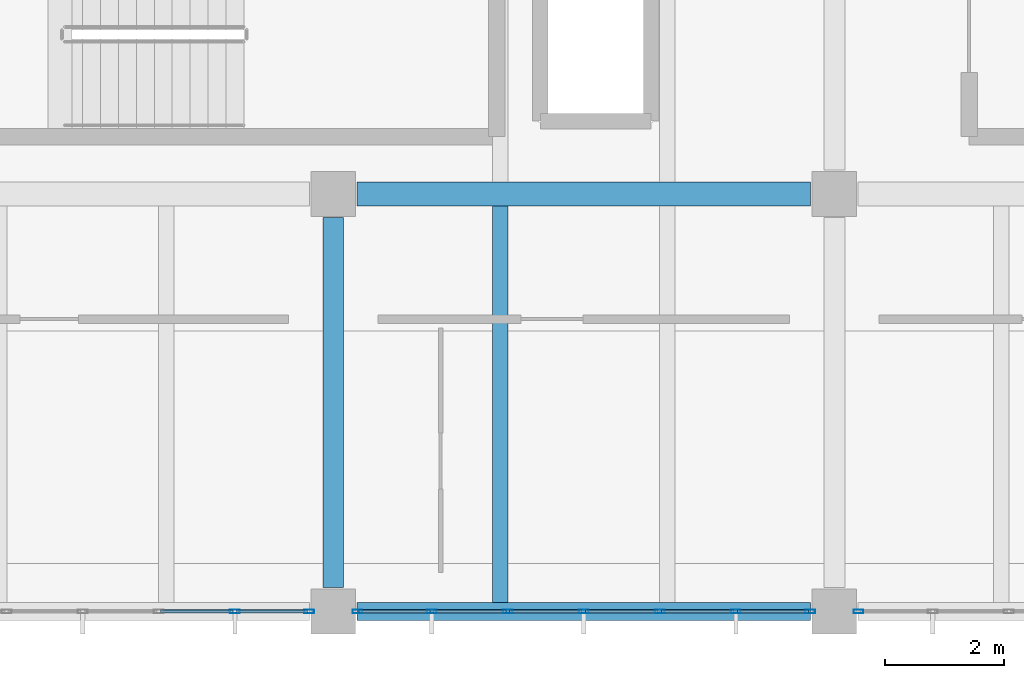
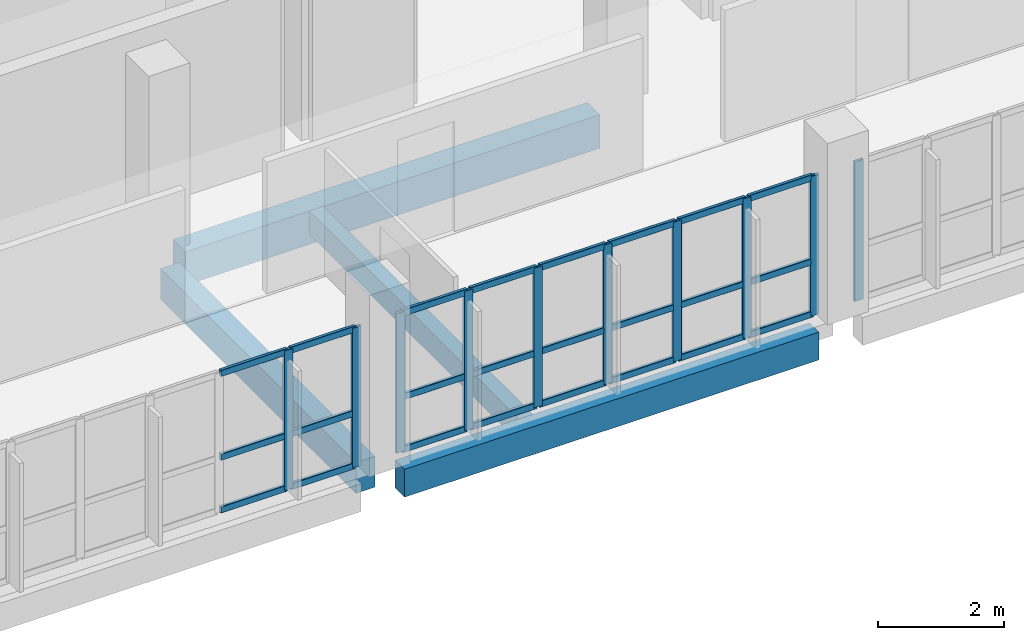
# One storey, part 7 of 95: 34 members, 4 beams, 3 elements without a shape of their own.
"""IFC4 building model written with IfcOpenShell, lengths in metres."""

from ifc_helpers import new_model, si_unit, direction, frame, origin, origin_2d, place, context, subcontext, project, spatial, rectangle, hollow_rectangle, extrude, material, layer, layer_set, material_profile, profile_set, type_object, element, aggregate, save


model = new_model("IFC4")

# Units and contexts
model_context = context("Model", 3, precision=1e-05, world=origin(), true_north=direction((0.0, 1.0)))
body_context = subcontext(model_context, "Body", "Model", "MODEL_VIEW")
ifc_project = project(units=[si_unit("LENGTHUNIT", "METRE"), si_unit("AREAUNIT", "SQUARE_METRE"), si_unit("VOLUMEUNIT", "CUBIC_METRE"), si_unit("PLANEANGLEUNIT", "RADIAN"), si_unit("MASSUNIT", "GRAM", prefix="KILO"), si_unit("THERMODYNAMICTEMPERATUREUNIT", "KELVIN"), si_unit("POWERUNIT", "WATT")], contexts=[model_context])

# Site, building, storey
site_placement = place(None, origin())
site = spatial("IfcSite", under=ifc_project, at=site_placement, CompositionType="ELEMENT")
building_placement = place(site_placement, origin())
building = spatial("IfcBuilding", under=site, at=building_placement, Name="Mavoryth Pier Ferry Terminal", CompositionType="ELEMENT")
storey_placement = place(building_placement, frame((0.0, 0.0, 9.60009765625)))
storey = spatial("IfcBuildingStorey", under=building, at=storey_placement, Name="L02", CompositionType="ELEMENT", Elevation=9.60009765625)

# Beams
ifc_material_1 = material(Name="Concrete C35/45", Category="concrete")
ifc_material_profile_1 = material_profile(ifc_material_1, rectangle(XDim=0.35009765625, YDim=0.60009765625, at=origin_2d()), Name="RC 350x600", Category="concrete")
ifc_profile_set_1 = profile_set([ifc_material_profile_1], Name="Concrete C35/45 - RC 350x600")
beam_type_1 = type_object("IfcBeamType", Name="Girder-RC-350x600", PredefinedType="BEAM", material=ifc_profile_set_1)
beam_1_placement = place(storey_placement, frame((50.39990234375, 0.39990234375, -0.56005859375), z_axis=(0.0, 1.0, 0.0), x_axis=(-1.0, 0.0, 0.0)))
element("IfcBeam", 1, at=beam_1_placement, inside=storey, type_object=beam_type_1, Name="Beam B02-BG08-0978", PredefinedType="BEAM", context=body_context, shape_type="SweptSolid", body=[
    extrude(rectangle(XDim=0.35009765625, YDim=0.60009765625, at=origin_2d()), origin(), (0.0, 0.0, 1.0), 6.2001953125),
])
ifc_material_profile_2 = material_profile(ifc_material_1, rectangle(XDim=0.39990234375, YDim=0.64990234375, at=origin_2d()), Name="RC 400x650", Category="concrete")
ifc_profile_set_2 = profile_set([ifc_material_profile_2], Name="Concrete C35/45 - RC 400x650")
beam_type_2 = type_object("IfcBeamType", Name="Girder-RC-400x650", PredefinedType="BEAM", material=ifc_profile_set_2)
beam_2_placement = place(storey_placement, frame((50.800048828125, 7.0, -0.585205078125), z_axis=(1.0, 0.0, 0.0), x_axis=(0.0, 1.0, 0.0)))
element("IfcBeam", 2, at=beam_2_placement, inside=storey, type_object=beam_type_2, Name="Beam B02-BG05-0958", PredefinedType="BEAM", context=body_context, shape_type="SweptSolid", body=[
    extrude(rectangle(XDim=0.39990234375, YDim=0.64990234375, at=origin_2d()), origin(), (0.0, 0.0, 1.0), 7.599853515625),
])
ifc_material_profile_3 = material_profile(ifc_material_1, rectangle(XDim=0.260009765625, YDim=0.449951171875, at=origin_2d()), Name="RC 260x450", Category="concrete")
ifc_profile_set_3 = profile_set([ifc_material_profile_3], Name="Concrete C35/45 - RC 260x450")
beam_type_3 = type_object("IfcBeamType", Name="Joist-RC-260x450", PredefinedType="JOIST", material=ifc_profile_set_3)
beam_3_placement = place(storey_placement, frame((53.199951171875, 0.14990234375, -0.485107421875), z_axis=(0.0, 1.0, 0.0), x_axis=(-1.0, 0.0, 0.0)))
element("IfcBeam", 3, at=beam_3_placement, inside=storey, type_object=beam_type_3, Name="Beam B02-BJ03-1000", PredefinedType="JOIST", context=body_context, shape_type="SweptSolid", body=[
    extrude(rectangle(XDim=0.260009765625, YDim=0.449951171875, at=origin_2d()), origin(), (0.0, 0.0, 1.0), 6.650146484375),
])

# Curtain wall, members
ifc_material_2 = material(Name="Anodised Aluminium and Solar-Control Low-E Glass", Category="aluminium")
ifc_layer = layer(ifc_material_2, 0.239990234375, Name="Anodised Aluminium and Solar-Control Low-E Glass", Category="aluminium")
ifc_layer_set = layer_set([ifc_layer], Name="Anodised Aluminium and Solar-Control Low-E Glass - CW-Operations-Mod1200")
curtain_wall_type = type_object("IfcCurtainWallType", Name="CW-Operations-Mod1200", PredefinedType="USERDEFINED", material=ifc_layer_set)
curtain_wall_1_placement = place(storey_placement, origin())
curtain_wall_1 = element("IfcCurtainWall", 4, at=curtain_wall_1_placement, inside=storey, type_object=curtain_wall_type, Name="Curtain Wall CW-0222-123", ObjectType="UNITISED CURTAIN WALL", PredefinedType="USERDEFINED")
ifc_material_3 = material(Name="Anodised Aluminium EN AW-6063", Category="aluminium")
ifc_material_profile_4 = material_profile(ifc_material_3, hollow_rectangle(XDim=0.06005859375, YDim=0.1650390625, WallThickness=0.00390625, InnerFilletRadius=0.00390625, OuterFilletRadius=0.008056640625, at=origin_2d()), Name="AL-MULL 165x60x4", Category="aluminium")
ifc_profile_set_4 = profile_set([ifc_material_profile_4], Name="Anodised Aluminium EN AW-6063 - AL-MULL 165x60x4")
member_type_1 = type_object("IfcMemberType", Name="Mullion-Alum-165x60", PredefinedType="MULLION", material=ifc_profile_set_4)
member_1_placement = place(storey_placement, frame((48.75, 0.0, 0.0), z_axis=(0.0, 0.0, 1.0), x_axis=(0.0, 1.0, 0.0)))
member_1 = element("IfcMember", 5, at=member_1_placement, type_object=member_type_1, Name="CW06 mullion 6", PredefinedType="MULLION", context=body_context, shape_type="SweptSolid", body=[
    extrude(hollow_rectangle(XDim=0.06005859375, YDim=0.1650390625, WallThickness=0.00390625, InnerFilletRadius=0.00390625, OuterFilletRadius=0.008056640625, at=origin_2d()), origin(), (0.0, 0.0, 1.0), 2.704833984375),
])
member_2_placement = place(storey_placement, frame((49.9951171875, 0.0, 0.0), z_axis=(0.0, 0.0, 1.0), x_axis=(0.0, 1.0, 0.0)))
member_2 = element("IfcMember", 6, at=member_2_placement, type_object=member_type_1, Name="CW06 mullion 7", PredefinedType="MULLION", context=body_context, shape_type="SweptSolid", body=[
    extrude(hollow_rectangle(XDim=0.06005859375, YDim=0.1650390625, WallThickness=0.00390625, InnerFilletRadius=0.00390625, OuterFilletRadius=0.008056640625, at=origin_2d()), origin(), (0.0, 0.0, 1.0), 2.704833984375),
])

curtain_wall_2_placement = place(storey_placement, origin())
curtain_wall_2 = element("IfcCurtainWall", 7, at=curtain_wall_2_placement, inside=storey, type_object=curtain_wall_type, Name="Curtain Wall CW-0222-124", ObjectType="UNITISED CURTAIN WALL", PredefinedType="USERDEFINED")
member_3_placement = place(storey_placement, frame((50.804931640625, 0.0, 0.0), z_axis=(0.0, 0.0, 1.0), x_axis=(0.0, 1.0, 0.0)))
member_3 = element("IfcMember", 8, at=member_3_placement, type_object=member_type_1, Name="CW06 mullion 1", PredefinedType="MULLION", context=body_context, shape_type="SweptSolid", body=[
    extrude(hollow_rectangle(XDim=0.06005859375, YDim=0.1650390625, WallThickness=0.00390625, InnerFilletRadius=0.00390625, OuterFilletRadius=0.008056640625, at=origin_2d()), origin(), (0.0, 0.0, 1.0), 2.704833984375),
])
member_4_placement = place(storey_placement, frame((52.050048828125, 0.0, 0.0), z_axis=(0.0, 0.0, 1.0), x_axis=(0.0, 1.0, 0.0)))
member_4 = element("IfcMember", 9, at=member_4_placement, type_object=member_type_1, Name="CW06 mullion 2", PredefinedType="MULLION", context=body_context, shape_type="SweptSolid", body=[
    extrude(hollow_rectangle(XDim=0.06005859375, YDim=0.1650390625, WallThickness=0.00390625, InnerFilletRadius=0.00390625, OuterFilletRadius=0.008056640625, at=origin_2d()), origin(), (0.0, 0.0, 1.0), 2.704833984375),
])
member_5_placement = place(storey_placement, frame((53.324951171875, 0.0, 0.0), z_axis=(0.0, 0.0, 1.0), x_axis=(0.0, 1.0, 0.0)))
member_5 = element("IfcMember", 10, at=member_5_placement, type_object=member_type_1, Name="CW06 mullion 3", PredefinedType="MULLION", context=body_context, shape_type="SweptSolid", body=[
    extrude(hollow_rectangle(XDim=0.06005859375, YDim=0.1650390625, WallThickness=0.00390625, InnerFilletRadius=0.00390625, OuterFilletRadius=0.008056640625, at=origin_2d()), origin(), (0.0, 0.0, 1.0), 2.704833984375),
])
member_6_placement = place(storey_placement, frame((54.60009765625, 0.0, 0.0), z_axis=(0.0, 0.0, 1.0), x_axis=(0.0, 1.0, 0.0)))
member_6 = element("IfcMember", 11, at=member_6_placement, type_object=member_type_1, Name="CW06 mullion 4", PredefinedType="MULLION", context=body_context, shape_type="SweptSolid", body=[
    extrude(hollow_rectangle(XDim=0.06005859375, YDim=0.1650390625, WallThickness=0.00390625, InnerFilletRadius=0.00390625, OuterFilletRadius=0.008056640625, at=origin_2d()), origin(), (0.0, 0.0, 1.0), 2.704833984375),
])
member_7_placement = place(storey_placement, frame((55.875, 0.0, 0.0), z_axis=(0.0, 0.0, 1.0), x_axis=(0.0, 1.0, 0.0)))
member_7 = element("IfcMember", 12, at=member_7_placement, type_object=member_type_1, Name="CW06 mullion 5", PredefinedType="MULLION", context=body_context, shape_type="SweptSolid", body=[
    extrude(hollow_rectangle(XDim=0.06005859375, YDim=0.1650390625, WallThickness=0.00390625, InnerFilletRadius=0.00390625, OuterFilletRadius=0.008056640625, at=origin_2d()), origin(), (0.0, 0.0, 1.0), 2.704833984375),
])
member_8_placement = place(storey_placement, frame((57.14990234375, 0.0, 0.0), z_axis=(0.0, 0.0, 1.0), x_axis=(0.0, 1.0, 0.0)))
member_8 = element("IfcMember", 13, at=member_8_placement, type_object=member_type_1, Name="CW06 mullion 6", PredefinedType="MULLION", context=body_context, shape_type="SweptSolid", body=[
    extrude(hollow_rectangle(XDim=0.06005859375, YDim=0.1650390625, WallThickness=0.00390625, InnerFilletRadius=0.00390625, OuterFilletRadius=0.008056640625, at=origin_2d()), origin(), (0.0, 0.0, 1.0), 2.704833984375),
])
member_9_placement = place(storey_placement, frame((58.39501953125, 0.0, 0.0), z_axis=(0.0, 0.0, 1.0), x_axis=(0.0, 1.0, 0.0)))
member_9 = element("IfcMember", 14, at=member_9_placement, type_object=member_type_1, Name="CW06 mullion 7", PredefinedType="MULLION", context=body_context, shape_type="SweptSolid", body=[
    extrude(hollow_rectangle(XDim=0.06005859375, YDim=0.1650390625, WallThickness=0.00390625, InnerFilletRadius=0.00390625, OuterFilletRadius=0.008056640625, at=origin_2d()), origin(), (0.0, 0.0, 1.0), 2.704833984375),
])

# Curtain wall, member
curtain_wall_3_placement = place(storey_placement, origin())
curtain_wall_3 = element("IfcCurtainWall", 15, at=curtain_wall_3_placement, inside=storey, type_object=curtain_wall_type, Name="Curtain Wall CW-0222-125", ObjectType="UNITISED CURTAIN WALL", PredefinedType="USERDEFINED")
member_10_placement = place(storey_placement, frame((59.205078125, 0.0, 0.0), z_axis=(0.0, 0.0, 1.0), x_axis=(0.0, 1.0, 0.0)))
member_10 = element("IfcMember", 16, at=member_10_placement, type_object=member_type_1, Name="CW06 mullion 1", PredefinedType="MULLION", context=body_context, shape_type="SweptSolid", body=[
    extrude(hollow_rectangle(XDim=0.06005859375, YDim=0.1650390625, WallThickness=0.00390625, InnerFilletRadius=0.00390625, OuterFilletRadius=0.008056640625, at=origin_2d()), origin(), (0.0, 0.0, 1.0), 2.704833984375),
])
aggregate(curtain_wall_3, [member_10])

# Beam
ifc_material_profile_5 = material_profile(ifc_material_1, rectangle(XDim=0.300048828125, YDim=0.5400390625, at=origin_2d()), Name="RC 300x540", Category="concrete")
ifc_profile_set_5 = profile_set([ifc_material_profile_5], Name="Concrete C35/45 - RC 300x540")
beam_type_4 = type_object("IfcBeamType", Name="Spandrel-RC-300x540", PredefinedType="SPANDREL", material=ifc_profile_set_5)
beam_4_placement = place(storey_placement, frame((50.800048828125, 0.0, -0.530029296875), z_axis=(1.0, 0.0, 0.0), x_axis=(0.0, 1.0, 0.0)))
element("IfcBeam", 17, at=beam_4_placement, inside=storey, type_object=beam_type_4, Name="Beam B02-SP02-0952", PredefinedType="SPANDREL", context=body_context, shape_type="SweptSolid", body=[
    extrude(rectangle(XDim=0.300048828125, YDim=0.5400390625, at=origin_2d()), origin(), (0.0, 0.0, 1.0), 7.599853515625),
])

# Member
ifc_material_profile_6 = material_profile(ifc_material_3, hollow_rectangle(XDim=0.06005859375, YDim=0.125, WallThickness=0.00390625, InnerFilletRadius=0.00390625, OuterFilletRadius=0.008056640625, at=origin_2d()), Name="AL-TRAN 125x60x4", Category="aluminium")
ifc_profile_set_6 = profile_set([ifc_material_profile_6], Name="Anodised Aluminium EN AW-6063 - AL-TRAN 125x60x4")
member_type_2 = type_object("IfcMemberType", Name="Transom-Alum-125x60", PredefinedType="USERDEFINED", material=ifc_profile_set_6)
member_11_placement = place(storey_placement, frame((47.5048828125, 0.0, 0.02978515625), z_axis=(1.0, 0.0, 0.0), x_axis=(0.0, 1.0, 0.0)))
member_11 = element("IfcMember", 18, at=member_11_placement, type_object=member_type_2, Name="CW06 transom 5.1", ObjectType="TRANSOM", PredefinedType="USERDEFINED", context=body_context, shape_type="SweptSolid", body=[
    extrude(hollow_rectangle(XDim=0.06005859375, YDim=0.125, WallThickness=0.00390625, InnerFilletRadius=0.00390625, OuterFilletRadius=0.008056640625, at=origin_2d()), origin(), (0.0, 0.0, 1.0), 1.215087890625),
])

member_12_placement = place(storey_placement, frame((47.5048828125, 0.0, 1.0498046875), z_axis=(1.0, 0.0, 0.0), x_axis=(0.0, 1.0, 0.0)))
member_12 = element("IfcMember", 19, at=member_12_placement, type_object=member_type_2, Name="CW06 transom 5.2", ObjectType="TRANSOM", PredefinedType="USERDEFINED", context=body_context, shape_type="SweptSolid", body=[
    extrude(hollow_rectangle(XDim=0.06005859375, YDim=0.125, WallThickness=0.00390625, InnerFilletRadius=0.00390625, OuterFilletRadius=0.008056640625, at=origin_2d()), origin(), (0.0, 0.0, 1.0), 1.215087890625),
])

member_13_placement = place(storey_placement, frame((47.5048828125, 0.0, 2.6748046875), z_axis=(1.0, 0.0, 0.0), x_axis=(0.0, 1.0, 0.0)))
member_13 = element("IfcMember", 20, at=member_13_placement, type_object=member_type_2, Name="CW06 transom 5.3", ObjectType="TRANSOM", PredefinedType="USERDEFINED", context=body_context, shape_type="SweptSolid", body=[
    extrude(hollow_rectangle(XDim=0.06005859375, YDim=0.125, WallThickness=0.00390625, InnerFilletRadius=0.00390625, OuterFilletRadius=0.008056640625, at=origin_2d()), origin(), (0.0, 0.0, 1.0), 1.215087890625),
])

member_14_placement = place(storey_placement, frame((48.780029296875, 0.0, 0.02978515625), z_axis=(1.0, 0.0, 0.0), x_axis=(0.0, 1.0, 0.0)))
member_14 = element("IfcMember", 21, at=member_14_placement, type_object=member_type_2, Name="CW06 transom 6.1", ObjectType="TRANSOM", PredefinedType="USERDEFINED", context=body_context, shape_type="SweptSolid", body=[
    extrude(hollow_rectangle(XDim=0.06005859375, YDim=0.125, WallThickness=0.00390625, InnerFilletRadius=0.00390625, OuterFilletRadius=0.008056640625, at=origin_2d()), origin(), (0.0, 0.0, 1.0), 1.18505859375),
])

member_15_placement = place(storey_placement, frame((48.780029296875, 0.0, 1.0498046875), z_axis=(1.0, 0.0, 0.0), x_axis=(0.0, 1.0, 0.0)))
member_15 = element("IfcMember", 22, at=member_15_placement, type_object=member_type_2, Name="CW06 transom 6.2", ObjectType="TRANSOM", PredefinedType="USERDEFINED", context=body_context, shape_type="SweptSolid", body=[
    extrude(hollow_rectangle(XDim=0.06005859375, YDim=0.125, WallThickness=0.00390625, InnerFilletRadius=0.00390625, OuterFilletRadius=0.008056640625, at=origin_2d()), origin(), (0.0, 0.0, 1.0), 1.18505859375),
])

member_16_placement = place(storey_placement, frame((48.780029296875, 0.0, 2.6748046875), z_axis=(1.0, 0.0, 0.0), x_axis=(0.0, 1.0, 0.0)))
member_16 = element("IfcMember", 23, at=member_16_placement, type_object=member_type_2, Name="CW06 transom 6.3", ObjectType="TRANSOM", PredefinedType="USERDEFINED", context=body_context, shape_type="SweptSolid", body=[
    extrude(hollow_rectangle(XDim=0.06005859375, YDim=0.125, WallThickness=0.00390625, InnerFilletRadius=0.00390625, OuterFilletRadius=0.008056640625, at=origin_2d()), origin(), (0.0, 0.0, 1.0), 1.18505859375),
])

aggregate(curtain_wall_1, [member_1, member_2, member_11, member_12, member_13, member_14, member_15, member_16])

member_17_placement = place(storey_placement, frame((50.8349609375, 0.0, 0.02978515625), z_axis=(1.0, 0.0, 0.0), x_axis=(0.0, 1.0, 0.0)))
member_17 = element("IfcMember", 24, at=member_17_placement, type_object=member_type_2, Name="CW06 transom 1.1", ObjectType="TRANSOM", PredefinedType="USERDEFINED", context=body_context, shape_type="SweptSolid", body=[
    extrude(hollow_rectangle(XDim=0.06005859375, YDim=0.125, WallThickness=0.00390625, InnerFilletRadius=0.00390625, OuterFilletRadius=0.008056640625, at=origin_2d()), origin(), (0.0, 0.0, 1.0), 1.18505859375),
])

member_18_placement = place(storey_placement, frame((50.8349609375, 0.0, 1.0498046875), z_axis=(1.0, 0.0, 0.0), x_axis=(0.0, 1.0, 0.0)))
member_18 = element("IfcMember", 25, at=member_18_placement, type_object=member_type_2, Name="CW06 transom 1.2", ObjectType="TRANSOM", PredefinedType="USERDEFINED", context=body_context, shape_type="SweptSolid", body=[
    extrude(hollow_rectangle(XDim=0.06005859375, YDim=0.125, WallThickness=0.00390625, InnerFilletRadius=0.00390625, OuterFilletRadius=0.008056640625, at=origin_2d()), origin(), (0.0, 0.0, 1.0), 1.18505859375),
])

member_19_placement = place(storey_placement, frame((50.8349609375, 0.0, 2.6748046875), z_axis=(1.0, 0.0, 0.0), x_axis=(0.0, 1.0, 0.0)))
member_19 = element("IfcMember", 26, at=member_19_placement, type_object=member_type_2, Name="CW06 transom 1.3", ObjectType="TRANSOM", PredefinedType="USERDEFINED", context=body_context, shape_type="SweptSolid", body=[
    extrude(hollow_rectangle(XDim=0.06005859375, YDim=0.125, WallThickness=0.00390625, InnerFilletRadius=0.00390625, OuterFilletRadius=0.008056640625, at=origin_2d()), origin(), (0.0, 0.0, 1.0), 1.18505859375),
])

member_20_placement = place(storey_placement, frame((52.080078125, 0.0, 0.02978515625), z_axis=(1.0, 0.0, 0.0), x_axis=(0.0, 1.0, 0.0)))
member_20 = element("IfcMember", 27, at=member_20_placement, type_object=member_type_2, Name="CW06 transom 2.1", ObjectType="TRANSOM", PredefinedType="USERDEFINED", context=body_context, shape_type="SweptSolid", body=[
    extrude(hollow_rectangle(XDim=0.06005859375, YDim=0.125, WallThickness=0.00390625, InnerFilletRadius=0.00390625, OuterFilletRadius=0.008056640625, at=origin_2d()), origin(), (0.0, 0.0, 1.0), 1.21484375),
])

member_21_placement = place(storey_placement, frame((52.080078125, 0.0, 1.0498046875), z_axis=(1.0, 0.0, 0.0), x_axis=(0.0, 1.0, 0.0)))
member_21 = element("IfcMember", 28, at=member_21_placement, type_object=member_type_2, Name="CW06 transom 2.2", ObjectType="TRANSOM", PredefinedType="USERDEFINED", context=body_context, shape_type="SweptSolid", body=[
    extrude(hollow_rectangle(XDim=0.06005859375, YDim=0.125, WallThickness=0.00390625, InnerFilletRadius=0.00390625, OuterFilletRadius=0.008056640625, at=origin_2d()), origin(), (0.0, 0.0, 1.0), 1.21484375),
])

member_22_placement = place(storey_placement, frame((52.080078125, 0.0, 2.6748046875), z_axis=(1.0, 0.0, 0.0), x_axis=(0.0, 1.0, 0.0)))
member_22 = element("IfcMember", 29, at=member_22_placement, type_object=member_type_2, Name="CW06 transom 2.3", ObjectType="TRANSOM", PredefinedType="USERDEFINED", context=body_context, shape_type="SweptSolid", body=[
    extrude(hollow_rectangle(XDim=0.06005859375, YDim=0.125, WallThickness=0.00390625, InnerFilletRadius=0.00390625, OuterFilletRadius=0.008056640625, at=origin_2d()), origin(), (0.0, 0.0, 1.0), 1.21484375),
])

member_23_placement = place(storey_placement, frame((53.35498046875, 0.0, 0.02978515625), z_axis=(1.0, 0.0, 0.0), x_axis=(0.0, 1.0, 0.0)))
member_23 = element("IfcMember", 30, at=member_23_placement, type_object=member_type_2, Name="CW06 transom 3.1", ObjectType="TRANSOM", PredefinedType="USERDEFINED", context=body_context, shape_type="SweptSolid", body=[
    extrude(hollow_rectangle(XDim=0.06005859375, YDim=0.125, WallThickness=0.00390625, InnerFilletRadius=0.00390625, OuterFilletRadius=0.008056640625, at=origin_2d()), origin(), (0.0, 0.0, 1.0), 1.215087890625),
])

member_24_placement = place(storey_placement, frame((53.35498046875, 0.0, 1.0498046875), z_axis=(1.0, 0.0, 0.0), x_axis=(0.0, 1.0, 0.0)))
member_24 = element("IfcMember", 31, at=member_24_placement, type_object=member_type_2, Name="CW06 transom 3.2", ObjectType="TRANSOM", PredefinedType="USERDEFINED", context=body_context, shape_type="SweptSolid", body=[
    extrude(hollow_rectangle(XDim=0.06005859375, YDim=0.125, WallThickness=0.00390625, InnerFilletRadius=0.00390625, OuterFilletRadius=0.008056640625, at=origin_2d()), origin(), (0.0, 0.0, 1.0), 1.215087890625),
])

member_25_placement = place(storey_placement, frame((53.35498046875, 0.0, 2.6748046875), z_axis=(1.0, 0.0, 0.0), x_axis=(0.0, 1.0, 0.0)))
member_25 = element("IfcMember", 32, at=member_25_placement, type_object=member_type_2, Name="CW06 transom 3.3", ObjectType="TRANSOM", PredefinedType="USERDEFINED", context=body_context, shape_type="SweptSolid", body=[
    extrude(hollow_rectangle(XDim=0.06005859375, YDim=0.125, WallThickness=0.00390625, InnerFilletRadius=0.00390625, OuterFilletRadius=0.008056640625, at=origin_2d()), origin(), (0.0, 0.0, 1.0), 1.215087890625),
])

member_26_placement = place(storey_placement, frame((54.6298828125, 0.0, 0.02978515625), z_axis=(1.0, 0.0, 0.0), x_axis=(0.0, 1.0, 0.0)))
member_26 = element("IfcMember", 33, at=member_26_placement, type_object=member_type_2, Name="CW06 transom 4.1", ObjectType="TRANSOM", PredefinedType="USERDEFINED", context=body_context, shape_type="SweptSolid", body=[
    extrude(hollow_rectangle(XDim=0.06005859375, YDim=0.125, WallThickness=0.00390625, InnerFilletRadius=0.00390625, OuterFilletRadius=0.008056640625, at=origin_2d()), origin(), (0.0, 0.0, 1.0), 1.215087890625),
])

member_27_placement = place(storey_placement, frame((54.6298828125, 0.0, 1.0498046875), z_axis=(1.0, 0.0, 0.0), x_axis=(0.0, 1.0, 0.0)))
member_27 = element("IfcMember", 34, at=member_27_placement, type_object=member_type_2, Name="CW06 transom 4.2", ObjectType="TRANSOM", PredefinedType="USERDEFINED", context=body_context, shape_type="SweptSolid", body=[
    extrude(hollow_rectangle(XDim=0.06005859375, YDim=0.125, WallThickness=0.00390625, InnerFilletRadius=0.00390625, OuterFilletRadius=0.008056640625, at=origin_2d()), origin(), (0.0, 0.0, 1.0), 1.215087890625),
])

member_28_placement = place(storey_placement, frame((54.6298828125, 0.0, 2.6748046875), z_axis=(1.0, 0.0, 0.0), x_axis=(0.0, 1.0, 0.0)))
member_28 = element("IfcMember", 35, at=member_28_placement, type_object=member_type_2, Name="CW06 transom 4.3", ObjectType="TRANSOM", PredefinedType="USERDEFINED", context=body_context, shape_type="SweptSolid", body=[
    extrude(hollow_rectangle(XDim=0.06005859375, YDim=0.125, WallThickness=0.00390625, InnerFilletRadius=0.00390625, OuterFilletRadius=0.008056640625, at=origin_2d()), origin(), (0.0, 0.0, 1.0), 1.215087890625),
])

member_29_placement = place(storey_placement, frame((55.905029296875, 0.0, 0.02978515625), z_axis=(1.0, 0.0, 0.0), x_axis=(0.0, 1.0, 0.0)))
member_29 = element("IfcMember", 36, at=member_29_placement, type_object=member_type_2, Name="CW06 transom 5.1", ObjectType="TRANSOM", PredefinedType="USERDEFINED", context=body_context, shape_type="SweptSolid", body=[
    extrude(hollow_rectangle(XDim=0.06005859375, YDim=0.125, WallThickness=0.00390625, InnerFilletRadius=0.00390625, OuterFilletRadius=0.008056640625, at=origin_2d()), origin(), (0.0, 0.0, 1.0), 1.215087890625),
])

member_30_placement = place(storey_placement, frame((55.905029296875, 0.0, 1.0498046875), z_axis=(1.0, 0.0, 0.0), x_axis=(0.0, 1.0, 0.0)))
member_30 = element("IfcMember", 37, at=member_30_placement, type_object=member_type_2, Name="CW06 transom 5.2", ObjectType="TRANSOM", PredefinedType="USERDEFINED", context=body_context, shape_type="SweptSolid", body=[
    extrude(hollow_rectangle(XDim=0.06005859375, YDim=0.125, WallThickness=0.00390625, InnerFilletRadius=0.00390625, OuterFilletRadius=0.008056640625, at=origin_2d()), origin(), (0.0, 0.0, 1.0), 1.215087890625),
])

member_31_placement = place(storey_placement, frame((55.905029296875, 0.0, 2.6748046875), z_axis=(1.0, 0.0, 0.0), x_axis=(0.0, 1.0, 0.0)))
member_31 = element("IfcMember", 38, at=member_31_placement, type_object=member_type_2, Name="CW06 transom 5.3", ObjectType="TRANSOM", PredefinedType="USERDEFINED", context=body_context, shape_type="SweptSolid", body=[
    extrude(hollow_rectangle(XDim=0.06005859375, YDim=0.125, WallThickness=0.00390625, InnerFilletRadius=0.00390625, OuterFilletRadius=0.008056640625, at=origin_2d()), origin(), (0.0, 0.0, 1.0), 1.215087890625),
])

member_32_placement = place(storey_placement, frame((57.179931640625, 0.0, 0.02978515625), z_axis=(1.0, 0.0, 0.0), x_axis=(0.0, 1.0, 0.0)))
member_32 = element("IfcMember", 39, at=member_32_placement, type_object=member_type_2, Name="CW06 transom 6.1", ObjectType="TRANSOM", PredefinedType="USERDEFINED", context=body_context, shape_type="SweptSolid", body=[
    extrude(hollow_rectangle(XDim=0.06005859375, YDim=0.125, WallThickness=0.00390625, InnerFilletRadius=0.00390625, OuterFilletRadius=0.008056640625, at=origin_2d()), origin(), (0.0, 0.0, 1.0), 1.18505859375),
])

member_33_placement = place(storey_placement, frame((57.179931640625, 0.0, 1.0498046875), z_axis=(1.0, 0.0, 0.0), x_axis=(0.0, 1.0, 0.0)))
member_33 = element("IfcMember", 40, at=member_33_placement, type_object=member_type_2, Name="CW06 transom 6.2", ObjectType="TRANSOM", PredefinedType="USERDEFINED", context=body_context, shape_type="SweptSolid", body=[
    extrude(hollow_rectangle(XDim=0.06005859375, YDim=0.125, WallThickness=0.00390625, InnerFilletRadius=0.00390625, OuterFilletRadius=0.008056640625, at=origin_2d()), origin(), (0.0, 0.0, 1.0), 1.18505859375),
])

member_34_placement = place(storey_placement, frame((57.179931640625, 0.0, 2.6748046875), z_axis=(1.0, 0.0, 0.0), x_axis=(0.0, 1.0, 0.0)))
member_34 = element("IfcMember", 41, at=member_34_placement, type_object=member_type_2, Name="CW06 transom 6.3", ObjectType="TRANSOM", PredefinedType="USERDEFINED", context=body_context, shape_type="SweptSolid", body=[
    extrude(hollow_rectangle(XDim=0.06005859375, YDim=0.125, WallThickness=0.00390625, InnerFilletRadius=0.00390625, OuterFilletRadius=0.008056640625, at=origin_2d()), origin(), (0.0, 0.0, 1.0), 1.18505859375),
])

aggregate(curtain_wall_2, [member_3, member_4, member_5, member_6, member_7, member_8, member_9, member_17, member_18, member_19, member_20, member_21, member_22, member_23, member_24, member_25, member_26, member_27, member_28, member_29, member_30, member_31, member_32, member_33, member_34])

save(model, "model.ifc")
